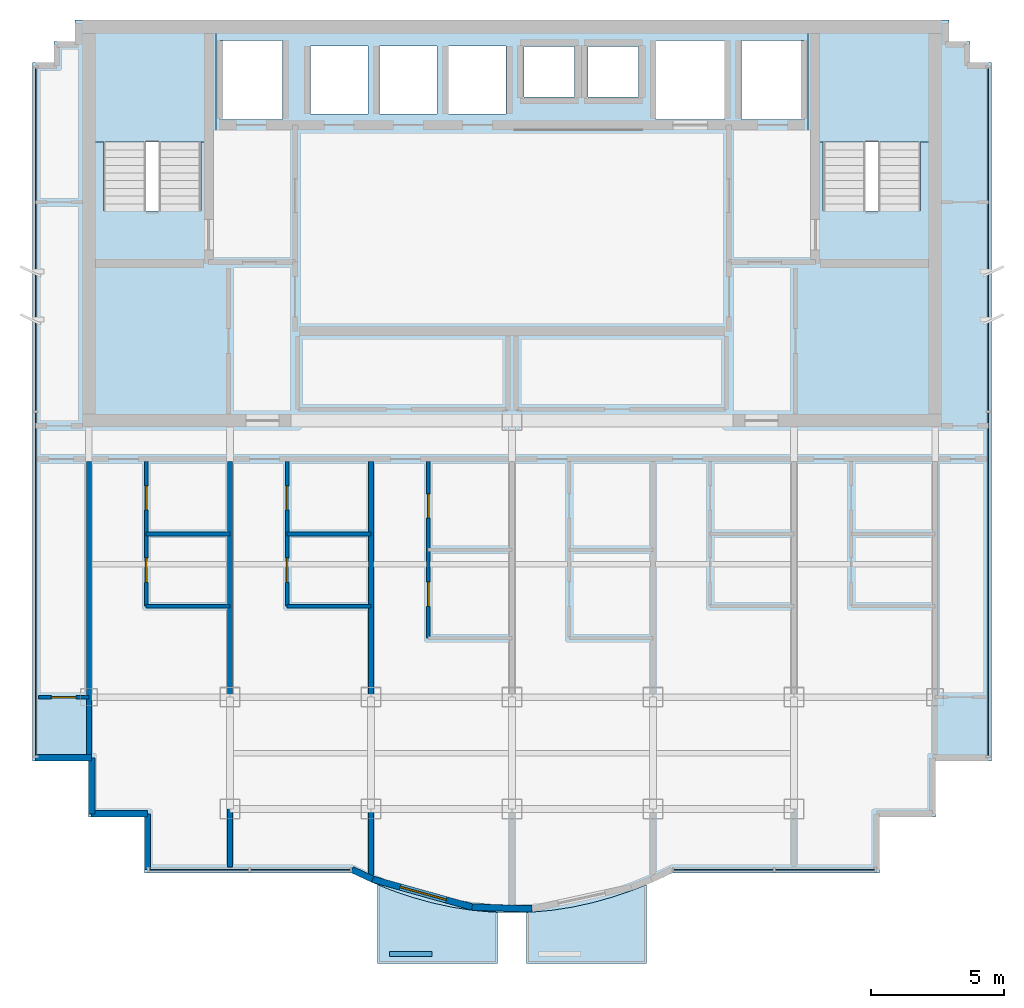
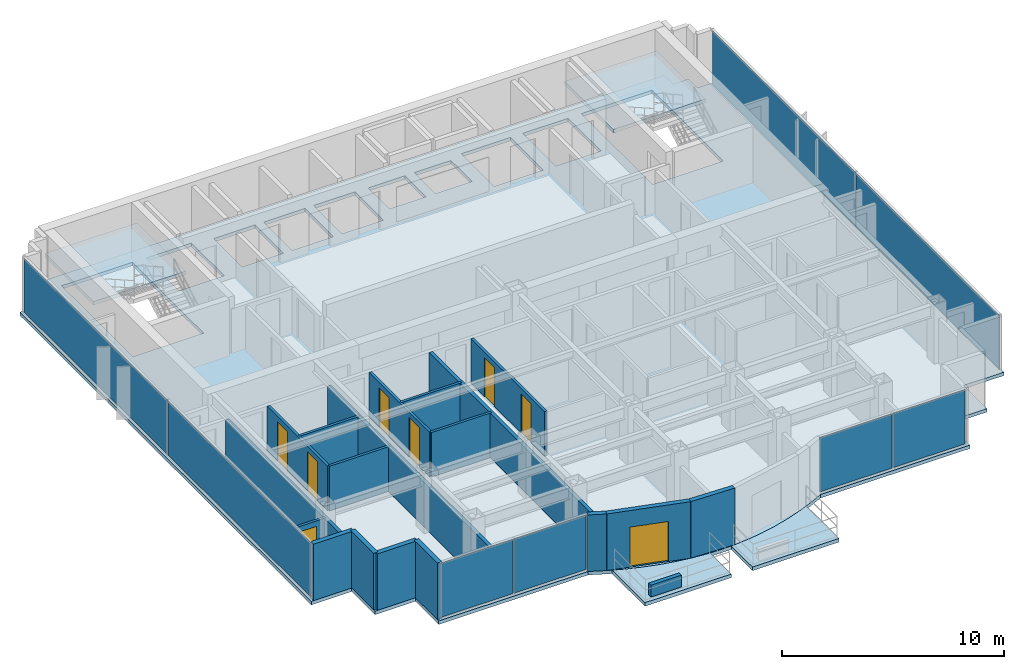
# One storey, part 5 of 10: 19 walls, 8 doors, 8 plates, 5 slabs, 8 openings, 6 elements without a shape of their own.
"""IFC4 building model written with IfcOpenShell, lengths in metres."""

import ifcopenshell
import ifcopenshell.guid

model = None  # the IFC model being written
_history = None  # IfcOwnerHistory: only IFC2X3 demands one
_inside = {}  # id of a spatial element -> (the spatial element, [elements in it])
_under = {}  # id of a project, library or spatial element -> (it, [spatial elements below it])
_declared = {}  # id of a project -> (the project, [libraries it declares])
_typed = {}  # id of a type object -> (the type object, [elements of that type])
_made_of = {}  # id of a material, layer set ... -> (it, [elements and type objects made of it])


def new_model(schema):
    """Start an empty IFC model of exactly this schema.

    Asked for "IFC4X3", IfcOpenShell would pick the latest addendum, in which some entities
    have other attributes; the version numbers below select the first issue.
    IFC2X3 requires an IfcOwnerHistory on every rooted entity: one is made here for all.
    """
    global model, _history
    if schema == "IFC4X3":
        model = ifcopenshell.file(schema_version=(4, 3, 0, 0))
    else:
        model = ifcopenshell.file(schema=schema)
    _inside.clear()
    _under.clear()
    _declared.clear()
    _typed.clear()
    _made_of.clear()
    _history = None
    if model.schema == "IFC2X3":
        org = make("IfcOrganization", Name="unknown")
        user = make(
            "IfcPersonAndOrganization",
            ThePerson=make("IfcPerson", FamilyName="unknown"),
            TheOrganization=org,
        )
        app = make(
            "IfcApplication",
            ApplicationDeveloper=org,
            Version="unknown",
            ApplicationFullName="unknown",
            ApplicationIdentifier="unknown",
        )
        _history = make(
            "IfcOwnerHistory",
            OwningUser=user,
            OwningApplication=app,
            ChangeAction="ADDED",
            CreationDate=0,
        )
    return model


def make(cls, **values):
    """One entity of the class cls with the attributes given. An attribute that is None is left unset."""
    return model.create_entity(
        cls, **{name: value for name, value in values.items() if value is not None}
    )


def rooted(cls, **values):
    """An entity with a GlobalId (a new one), such as an element, a storey or a relation."""
    return make(cls, GlobalId=ifcopenshell.guid.new(), OwnerHistory=_history, **values)


def si_unit(unit_type, name, prefix=None):
    """IfcSIUnit, for example si_unit("LENGTHUNIT", "METRE", prefix="MILLI")."""
    return make("IfcSIUnit", UnitType=unit_type, Prefix=prefix, Name=name)


def assignment(units):
    """IfcUnitAssignment: the units of a project."""
    return None if units is None else make("IfcUnitAssignment", Units=units)


def point(xyz):
    """IfcCartesianPoint."""
    return None if xyz is None else make("IfcCartesianPoint", Coordinates=xyz)


def direction(xyz):
    """IfcDirection."""
    return None if xyz is None else make("IfcDirection", DirectionRatios=xyz)


def frame(location, z_axis=None, x_axis=None):
    """IfcAxis2Placement3D, a coordinate frame: its origin and axes. An axis left out is left unset."""
    return make(
        "IfcAxis2Placement3D",
        Location=point(location),
        Axis=direction(z_axis),
        RefDirection=direction(x_axis),
    )


def frame_2d(location, x_axis=None):
    """IfcAxis2Placement2D, a coordinate frame in the plane: its origin and x axis."""
    return make(
        "IfcAxis2Placement2D", Location=point(location), RefDirection=direction(x_axis)
    )


def origin():
    """The frame at (0, 0, 0) with its axes left unset."""
    return frame((0.0, 0.0, 0.0))


def origin_2d():
    """The frame at (0, 0) in the plane with its x axis left unset."""
    return frame_2d((0.0, 0.0))


def place(relative_to, where):
    """IfcLocalPlacement: puts the frame where relative to a parent placement (None: the world)."""
    return make(
        "IfcLocalPlacement", PlacementRelTo=relative_to, RelativePlacement=where
    )


def context(
    kind, dimensions, precision=None, world=None, true_north=None, identifier=None
):
    """IfcGeometricRepresentationContext, for example the 3D "Model" context."""
    return make(
        "IfcGeometricRepresentationContext",
        ContextIdentifier=identifier,
        ContextType=kind,
        CoordinateSpaceDimension=dimensions,
        Precision=precision,
        WorldCoordinateSystem=world,
        TrueNorth=true_north,
    )


def subcontext(parent, identifier, kind, view, scale=None):
    """IfcGeometricRepresentationSubContext, for example "Body" below "Model"."""
    return make(
        "IfcGeometricRepresentationSubContext",
        ContextIdentifier=identifier,
        ContextType=kind,
        ParentContext=parent,
        TargetScale=scale,
        TargetView=view,
    )


def project(units=None, contexts=None):
    """IfcProject with its units and contexts."""
    return rooted(
        "IfcProject",
        Name="project",
        RepresentationContexts=contexts,
        UnitsInContext=assignment(units),
    )


def spatial(cls, under=None, at=None, **own):
    """A site, building, storey or space (cls), placed at a placement, below another one or the project."""
    s = rooted(cls, ObjectPlacement=at, **own)
    if under is not None:
        _under.setdefault(under.id(), (under, []))[1].append(s)
    return s


def polyline(points):
    """IfcPolyline through the points."""
    return make("IfcPolyline", Points=[point(p) for p in points])


def profile(cls, at=None, kind="AREA", **sizes):
    """A parametric profile (cls). Its sizes go by their IFC names, for example OverallWidth=200.0."""
    return make(cls, ProfileType=kind, Position=at, **sizes)


def rectangle(**sizes):
    """IfcRectangleProfileDef."""
    return profile("IfcRectangleProfileDef", **sizes)


def outline(outer, holes=None, kind="AREA"):
    """IfcArbitraryClosedProfileDef: a profile drawn as a closed curve; with holes, ...WithVoids."""
    if holes is None:
        return make("IfcArbitraryClosedProfileDef", ProfileType=kind, OuterCurve=outer)
    return make(
        "IfcArbitraryProfileDefWithVoids",
        ProfileType=kind,
        OuterCurve=outer,
        InnerCurves=holes,
    )


def extrude(swept, where, along, depth):
    """IfcExtrudedAreaSolid: the profile swept, set in the frame where, extruded along a direction by depth."""
    return make(
        "IfcExtrudedAreaSolid",
        SweptArea=swept,
        Position=where,
        ExtrudedDirection=direction(along),
        Depth=depth,
    )


def shape(context_of_items, identifier, shape_type, items):
    """IfcShapeRepresentation: the items that make up one representation, for example the "Body"."""
    return make(
        "IfcShapeRepresentation",
        ContextOfItems=context_of_items,
        RepresentationIdentifier=identifier,
        RepresentationType=shape_type,
        Items=items,
    )


def source(mapping_origin, context_of_items, identifier, shape_type, items):
    """IfcRepresentationMap: a shape defined once, which mapped items show again and again."""
    return make(
        "IfcRepresentationMap",
        MappingOrigin=mapping_origin,
        MappedRepresentation=shape(context_of_items, identifier, shape_type, items),
    )


def transform(
    local_origin,
    x_axis=None,
    y_axis=None,
    z_axis=None,
    scale=None,
    scale2=None,
    scale3=None,
    uniform=True,
):
    """IfcCartesianTransformationOperator3D, or its non-uniform kind. x_axis, y_axis, z_axis: its Axis1, 2, 3."""
    if uniform:
        return make(
            "IfcCartesianTransformationOperator3D",
            Axis1=direction(x_axis),
            Axis2=direction(y_axis),
            LocalOrigin=point(local_origin),
            Scale=scale,
            Axis3=direction(z_axis),
        )
    return make(
        "IfcCartesianTransformationOperator3DnonUniform",
        Axis1=direction(x_axis),
        Axis2=direction(y_axis),
        LocalOrigin=point(local_origin),
        Scale=scale,
        Axis3=direction(z_axis),
        Scale2=scale2,
        Scale3=scale3,
    )


def mapped(mapping_source, mapping_target):
    """IfcMappedItem: shows the shape of a source again, moved by a transform."""
    return make(
        "IfcMappedItem", MappingSource=mapping_source, MappingTarget=mapping_target
    )


def material(Name=None, Category=None):
    """IfcMaterial."""
    return make("IfcMaterial", Name=Name, Category=Category)


def layer(
    of_material, thickness, ventilated=None, Name=None, Category=None, Priority=None
):
    """IfcMaterialLayer: one layer of a wall or slab, of a material (None: an air gap)."""
    return make(
        "IfcMaterialLayer",
        Material=of_material,
        LayerThickness=thickness,
        IsVentilated=ventilated,
        Name=Name,
        Category=Category,
        Priority=Priority,
    )


def layer_set(layers, Name=None):
    """IfcMaterialLayerSet."""
    return make("IfcMaterialLayerSet", MaterialLayers=layers, LayerSetName=Name)


def made_of(thing, what):
    """Note that an element or type object is made of a material, layer set ...; save() writes the relation."""
    if what is not None:
        _made_of.setdefault(what.id(), (what, []))[1].append(thing)
    return thing


def type_object(cls, material=None, **own):
    """A type object (cls), such as IfcWallType, which elements share."""
    return made_of(rooted(cls, **own), material)


def element(
    cls,
    number,
    at=None,
    inside=None,
    cuts=None,
    type_object=None,
    material=None,
    context=None,
    identifier="Body",
    shape_type=None,
    held_by="IfcProductDefinitionShape",
    body=None,
    shapes=None,
    **own,
):
    """One element of the class cls, such as IfcWall. Its Tag is "e" and its number.

    at: its placement. inside: the storey or other place that contains it. cuts: it is an
    opening in that element (IfcRelVoidsElement). A single representation is given by context,
    identifier, shape_type and body (its items); several are given by shapes. held_by: the class
    of the entity that holds the representations. save() writes the other relations.
    """
    e = rooted(cls, Tag="e%d" % number, ObjectPlacement=at, **own)
    if body is not None:
        shapes = [shape(context, identifier, shape_type, body)]
    if shapes is not None:
        e.Representation = make(held_by, Representations=shapes)
    if inside is not None:
        _inside.setdefault(inside.id(), (inside, []))[1].append(e)
    if cuts is not None:
        rooted(
            "IfcRelVoidsElement", RelatingBuildingElement=cuts, RelatedOpeningElement=e
        )
    if type_object is not None:
        _typed.setdefault(type_object.id(), (type_object, []))[1].append(e)
    return made_of(e, material)


def fill(opening, filler):
    """IfcRelFillsElement: the door or window that sits in an opening."""
    return rooted(
        "IfcRelFillsElement",
        RelatingOpeningElement=opening,
        RelatedBuildingElement=filler,
    )


def aggregate(whole, parts):
    """IfcRelAggregates: a whole, such as a stair, and the parts it consists of."""
    return rooted("IfcRelAggregates", RelatingObject=whole, RelatedObjects=parts)


def save(model, path):
    """Write the relations noted so far, then the file.

    IfcRelAggregates (storeys below a building ...), IfcRelContainedInSpatialStructure (elements
    in a storey), IfcRelDefinesByType, IfcRelAssociatesMaterial and IfcRelDeclares: one each for
    every whole, place, type object, material and project.
    """
    for whole, parts in _under.values():
        aggregate(whole, parts)
    for where, things in _inside.values():
        rooted(
            "IfcRelContainedInSpatialStructure",
            RelatedElements=things,
            RelatingStructure=where,
        )
    for kind, things in _typed.values():
        rooted("IfcRelDefinesByType", RelatedObjects=things, RelatingType=kind)
    for what, things in _made_of.values():
        rooted("IfcRelAssociatesMaterial", RelatedObjects=things, RelatingMaterial=what)
    for by, libraries in _declared.values():
        rooted("IfcRelDeclares", RelatingContext=by, RelatedDefinitions=libraries)
    model.write(path)


model = new_model("IFC4")

# Units and contexts
model_context = context("Model", 3, precision=1e-05, world=origin(), true_north=direction((0.0, 1.0)))
body_context = subcontext(model_context, "Body", "Model", "MODEL_VIEW")
ifc_project = project(units=[si_unit("LENGTHUNIT", "METRE"), si_unit("AREAUNIT", "SQUARE_METRE"), si_unit("VOLUMEUNIT", "CUBIC_METRE"), si_unit("PLANEANGLEUNIT", "RADIAN"), si_unit("MASSUNIT", "GRAM", prefix="KILO")], contexts=[model_context])

# Site, building, storey
site_placement = place(None, origin())
site = spatial("IfcSite", under=ifc_project, at=site_placement, CompositionType="ELEMENT")
building_placement = place(site_placement, origin())
building = spatial("IfcBuilding", under=site, at=building_placement, Name="Qianlan Lanfeng Residences", CompositionType="ELEMENT")
storey_placement = place(building_placement, frame((0.0, 0.0, 236.300048828125)))
storey = spatial("IfcBuildingStorey", under=building, at=storey_placement, Name="L65", CompositionType="ELEMENT", Elevation=236.300048828125)

# Slabs
ifc_material_1 = material(Name="Concrete C42", Category="concrete")
ifc_layer_1 = layer(ifc_material_1, 0.199951171875)
ifc_layer_set_1 = layer_set([ifc_layer_1], Name="Concrete C42")
slab_type_1 = type_object("IfcSlabType", Name="S-BAL-200", PredefinedType="FLOOR", material=ifc_layer_set_1)
slab_1_placement = place(storey_placement, frame((0.0, 0.0, -0.199951171875)))
element("IfcSlab", 1, at=slab_1_placement, inside=storey, type_object=slab_type_1, Name="L65 Planted Tree Balcony Slab SB-W", PredefinedType="FLOOR", context=body_context, shape_type="SweptSolid", body=[
    extrude(outline(polyline([(25.949951171875, 6.717041015625), (25.7451171875, 6.722900390625), (24.989990234375, 6.7939453125), (24.235107421875, 6.910888671875), (23.47998046875, 7.074951171875), (22.72509765625, 7.285888671875), (21.969970703125, 7.5439453125), (21.449951171875, 7.7529296875), (21.449951171875, 4.800048828125), (25.949951171875, 4.800048828125), (25.949951171875, 6.717041015625)])), origin(), (0.0, 0.0, 1.0), 0.199951171875),
])
slab_2_placement = place(storey_placement, frame((0.0, 0.0, -0.199951171875)))
element("IfcSlab", 2, at=slab_2_placement, inside=storey, type_object=slab_type_1, Name="L65 Planted Tree Balcony Slab SB-E", PredefinedType="FLOOR", context=body_context, shape_type="SweptSolid", body=[
    extrude(outline(polyline([(31.550048828125, 7.7529296875), (31.030029296875, 7.5439453125), (30.27490234375, 7.285888671875), (29.52001953125, 7.074951171875), (28.764892578125, 6.910888671875), (28.010009765625, 6.7939453125), (27.2548828125, 6.722900390625), (27.050048828125, 6.717041015625), (27.050048828125, 4.800048828125), (31.550048828125, 4.800048828125), (31.550048828125, 7.7529296875)])), origin(), (0.0, 0.0, 1.0), 0.199951171875),
])
ifc_layer_2 = layer(ifc_material_1, 0.18994140625)
ifc_layer_set_2 = layer_set([ifc_layer_2], Name="Concrete C42")
slab_type_2 = type_object("IfcSlabType", Name="S-FL-190", PredefinedType="FLOOR", material=ifc_layer_set_2)
slab_3_placement = place(storey_placement, frame((0.0, 0.0, -0.18994140625)))
element("IfcSlab", 3, at=slab_3_placement, inside=storey, type_object=slab_type_2, Name="L65 Structural Floor Slab", PredefinedType="FLOOR", context=body_context, shape_type="SweptSolid", body=[
    extrude(outline(polyline([(8.47998046875, 12.39990234375), (10.580078125, 12.39990234375), (10.580078125, 10.300048828125), (12.679931640625, 10.300048828125), (12.679931640625, 8.199951171875), (20.4599609375, 8.199951171875), (21.215087890625, 7.847900390625), (21.969970703125, 7.5439453125), (22.72509765625, 7.285888671875), (23.47998046875, 7.074951171875), (24.235107421875, 6.910888671875), (24.989990234375, 6.7939453125), (25.7451171875, 6.722900390625), (26.5, 6.699951171875), (27.2548828125, 6.722900390625), (28.010009765625, 6.7939453125), (28.764892578125, 6.910888671875), (29.52001953125, 7.074951171875), (30.27490234375, 7.285888671875), (31.030029296875, 7.5439453125), (31.784912109375, 7.847900390625), (32.5400390625, 8.199951171875), (40.320068359375, 8.199951171875), (40.320068359375, 10.300048828125), (42.419921875, 10.300048828125), (42.419921875, 12.39990234375), (44.52001953125, 12.39990234375), (44.52001953125, 38.64990234375), (43.719970703125, 38.64990234375), (43.719970703125, 39.449951171875), (42.919921875, 39.449951171875), (42.919921875, 40.25), (10.080078125, 40.25), (10.080078125, 39.449951171875), (9.280029296875, 39.449951171875), (9.280029296875, 38.64990234375), (8.47998046875, 38.64990234375), (8.47998046875, 12.39990234375)]), holes=[polyline([(11.139892578125, 33.080078125), (11.139892578125, 39.5), (14.820068359375, 39.5), (14.820068359375, 33.080078125), (11.139892578125, 33.080078125)]), polyline([(38.179931640625, 33.080078125), (38.179931640625, 39.5), (41.860107421875, 39.5), (41.860107421875, 33.080078125), (38.179931640625, 33.080078125)]), polyline([(15.52001953125, 36.52001953125), (15.52001953125, 39.47998046875), (17.8798828125, 39.47998046875), (17.8798828125, 36.52001953125), (15.52001953125, 36.52001953125)]), polyline([(35.1201171875, 36.52001953125), (35.1201171875, 39.47998046875), (37.47998046875, 39.47998046875), (37.47998046875, 36.52001953125), (35.1201171875, 36.52001953125)]), polyline([(31.919921875, 36.52001953125), (31.919921875, 39.47998046875), (34.47998046875, 39.47998046875), (34.47998046875, 36.52001953125), (31.919921875, 36.52001953125)]), polyline([(18.919921875, 36.719970703125), (18.919921875, 39.280029296875), (21.080078125, 39.280029296875), (21.080078125, 36.719970703125), (18.919921875, 36.719970703125)]), polyline([(21.52001953125, 36.719970703125), (21.52001953125, 39.280029296875), (23.679931640625, 39.280029296875), (23.679931640625, 36.719970703125), (21.52001953125, 36.719970703125)]), polyline([(24.1201171875, 36.719970703125), (24.1201171875, 39.280029296875), (26.280029296875, 39.280029296875), (26.280029296875, 36.719970703125), (24.1201171875, 36.719970703125)]), polyline([(26.949951171875, 37.35009765625), (26.949951171875, 39.25), (28.85009765625, 39.25), (28.85009765625, 37.35009765625), (26.949951171875, 37.35009765625)]), polyline([(29.35009765625, 37.35009765625), (29.35009765625, 39.25), (31.25, 39.25), (31.25, 37.35009765625), (29.35009765625, 37.35009765625)])]), origin(), (0.0, 0.0, 1.0), 0.18994140625),
])

# Stair, slab
stair_type = type_object("IfcStairType", Name="STR-MAIN", PredefinedType="HALF_TURN_STAIR", material=ifc_material_1)
stair_1_placement = place(storey_placement, origin())
stair_1 = element("IfcStair", 4, at=stair_1_placement, inside=storey, type_object=stair_type, Name="L65 Exit Stair ST-1", PredefinedType="HALF_TURN_STAIR")
ifc_layer_3 = layer(ifc_material_1, 0.179931640625)
ifc_layer_set_3 = layer_set([ifc_layer_3], Name="Concrete C42")
slab_type_3 = type_object("IfcSlabType", Name="S-LND-180", PredefinedType="LANDING", material=ifc_layer_set_3)
slab_4_placement = place(storey_placement, frame((0.0, 0.0, 1.449951171875)))
slab_4 = element("IfcSlab", 5, at=slab_4_placement, type_object=slab_type_3, Name="ST-1 landing 1", PredefinedType="LANDING", context=body_context, shape_type="SweptSolid", body=[
    extrude(outline(polyline([(10.580078125, 35.659912109375), (15.3798828125, 35.659912109375), (15.3798828125, 40.050048828125), (10.580078125, 40.050048828125), (10.580078125, 35.659912109375)])), origin(), (0.0, 0.0, 1.0), 0.199951171875),
])
aggregate(stair_1, [slab_4])

stair_2_placement = place(storey_placement, origin())
stair_2 = element("IfcStair", 6, at=stair_2_placement, inside=storey, type_object=stair_type, Name="L65 Exit Stair ST-2", PredefinedType="HALF_TURN_STAIR")
slab_5_placement = place(storey_placement, frame((0.0, 0.0, 1.449951171875)))
slab_5 = element("IfcSlab", 7, at=slab_5_placement, type_object=slab_type_3, Name="ST-2 landing 1", PredefinedType="LANDING", context=body_context, shape_type="SweptSolid", body=[
    extrude(outline(polyline([(37.6201171875, 35.659912109375), (42.419921875, 35.659912109375), (42.419921875, 40.050048828125), (37.6201171875, 40.050048828125), (37.6201171875, 35.659912109375)])), origin(), (0.0, 0.0, 1.0), 0.199951171875),
])
aggregate(stair_2, [slab_5])

# Curtain wall, plates
ifc_material_2 = material(Name="Anodised Bronze Aluminium 6063-T6", Category="aluminium")
ifc_layer_4 = layer(ifc_material_2, 0.219970703125)
ifc_layer_set_4 = layer_set([ifc_layer_4], Name="Anodised Bronze Aluminium 6063-T6")
curtain_wall_type = type_object("IfcCurtainWallType", Name="CW-06", PredefinedType="NOTDEFINED", material=ifc_layer_set_4)
curtain_wall_1_placement = place(storey_placement, origin())
curtain_wall_1 = element("IfcCurtainWall", 8, at=curtain_wall_1_placement, inside=storey, type_object=curtain_wall_type, Name="L65 Unitised Curtain Wall CWR-L65-01 (CW-06)", PredefinedType="NOTDEFINED")
ifc_material_3 = material(Name="Dark Bronze Tinted Insulated Glass", Category="glass")
ifc_layer_5 = layer(ifc_material_3, 0.0380859375)
ifc_layer_set_5 = layer_set([ifc_layer_5], Name="Dark Bronze Tinted Insulated Glass")
plate_type_1 = type_object("IfcPlateType", Name="PNL-GLZ-BRZ", PredefinedType="CURTAIN_PANEL", material=ifc_layer_set_5)
shared_shape_1 = source(origin(), body_context, "Body", "SweptSolid", [
    extrude(rectangle(XDim=3.73291015625, YDim=0.0380859375, at=origin_2d()), origin(), (0.0, 0.0, 1.0), 2.9619140625),
])
plate_1_placement = place(storey_placement, frame((14.740478515625, 8.320068359375, 0.073974609375), z_axis=(0.0, 0.0, 1.0), x_axis=(1.0, 0.0, 0.0)))
plate_1 = element("IfcPlate", 9, at=plate_1_placement, type_object=plate_type_1, Name="CWR-L65-01 Curtain Panel 1", PredefinedType="CURTAIN_PANEL", context=body_context, shape_type="MappedRepresentation", body=[
    mapped(shared_shape_1, transform((0.0, 0.0, 0.0), scale=1.0)),
])
plate_2_placement = place(storey_placement, frame((18.54638671875, 8.320068359375, 0.073974609375), z_axis=(0.0, 0.0, 1.0), x_axis=(1.0, 0.0, 0.0)))
plate_2 = element("IfcPlate", 10, at=plate_2_placement, type_object=plate_type_1, Name="CWR-L65-01 Curtain Panel 2", PredefinedType="CURTAIN_PANEL", context=body_context, shape_type="MappedRepresentation", body=[
    mapped(shared_shape_1, transform((0.0, 0.0, 0.0), scale=1.0)),
])
aggregate(curtain_wall_1, [plate_1, plate_2])

curtain_wall_2_placement = place(storey_placement, origin())
curtain_wall_2 = element("IfcCurtainWall", 11, at=curtain_wall_2_placement, inside=storey, type_object=curtain_wall_type, Name="L65 Unitised Curtain Wall CWR-L65-02 (CW-06)", PredefinedType="NOTDEFINED")
plate_3_placement = place(storey_placement, frame((34.45361328125, 8.320068359375, 0.073974609375), z_axis=(0.0, 0.0, 1.0), x_axis=(1.0, 0.0, 0.0)))
plate_3 = element("IfcPlate", 12, at=plate_3_placement, type_object=plate_type_1, Name="CWR-L65-02 Curtain Panel 1", PredefinedType="CURTAIN_PANEL", context=body_context, shape_type="MappedRepresentation", body=[
    mapped(shared_shape_1, transform((0.0, 0.0, 0.0), scale=1.0)),
])
ifc_material_4 = material(Name="Perforated Anodised Bronze Aluminium Panel", Category="aluminium")
ifc_layer_6 = layer(ifc_material_4, 0.0419921875)
ifc_layer_set_6 = layer_set([ifc_layer_6], Name="Perforated Anodised Bronze Aluminium Panel")
plate_type_2 = type_object("IfcPlateType", Name="PNL-PRF-BRZ", PredefinedType="CURTAIN_PANEL", material=ifc_layer_set_6)
shared_shape_2 = source(origin(), body_context, "Body", "SweptSolid", [
    extrude(rectangle(XDim=3.73291015625, YDim=0.0419921875, at=origin_2d()), origin(), (0.0, 0.0, 1.0), 2.9619140625),
])
plate_4_placement = place(storey_placement, frame((38.259521484375, 8.320068359375, 0.073974609375), z_axis=(0.0, 0.0, 1.0), x_axis=(1.0, 0.0, 0.0)))
plate_4 = element("IfcPlate", 13, at=plate_4_placement, type_object=plate_type_2, Name="CWR-L65-02 Curtain Panel 2", PredefinedType="CURTAIN_PANEL", context=body_context, shape_type="MappedRepresentation", body=[
    mapped(shared_shape_2, transform((0.0, 0.0, 0.0), scale=1.0)),
])
aggregate(curtain_wall_2, [plate_3, plate_4])

curtain_wall_3_placement = place(storey_placement, origin())
curtain_wall_3 = element("IfcCurtainWall", 14, at=curtain_wall_3_placement, inside=storey, type_object=curtain_wall_type, Name="L65 Unitised Curtain Wall CWR-L65-03 (CW-06)", PredefinedType="NOTDEFINED")
shared_shape_3 = source(origin(), body_context, "Body", "SweptSolid", [
    extrude(rectangle(XDim=12.89453125, YDim=0.0380859375, at=origin_2d()), origin(), (0.0, 0.0, 1.0), 2.9619140625),
])
plate_5_placement = place(storey_placement, frame((44.39990234375, 19.041259765625, 0.073974609375), z_axis=(0.0, 0.0, 1.0), x_axis=(0.0, 1.0, 0.0)))
plate_5 = element("IfcPlate", 15, at=plate_5_placement, type_object=plate_type_1, Name="CWR-L65-03 Curtain Panel 1", PredefinedType="CURTAIN_PANEL", context=body_context, shape_type="MappedRepresentation", body=[
    mapped(shared_shape_3, transform((0.0, 0.0, 0.0), scale=1.0)),
])
plate_6_placement = place(storey_placement, frame((44.39990234375, 32.0087890625, 0.073974609375), z_axis=(0.0, 0.0, 1.0), x_axis=(0.0, 1.0, 0.0)))
plate_6 = element("IfcPlate", 16, at=plate_6_placement, type_object=plate_type_1, Name="CWR-L65-03 Curtain Panel 2", PredefinedType="CURTAIN_PANEL", context=body_context, shape_type="MappedRepresentation", body=[
    mapped(shared_shape_3, transform((0.0, 0.0, 0.0), scale=1.0)),
])
aggregate(curtain_wall_3, [plate_5, plate_6])

curtain_wall_4_placement = place(storey_placement, origin())
curtain_wall_4 = element("IfcCurtainWall", 17, at=curtain_wall_4_placement, inside=storey, type_object=curtain_wall_type, Name="L65 Unitised Curtain Wall CWR-L65-04 (CW-06)", PredefinedType="NOTDEFINED")
plate_7_placement = place(storey_placement, frame((8.60009765625, 32.0087890625, 0.073974609375), z_axis=(0.0, 0.0, 1.0), x_axis=(0.0, -1.0, 0.0)))
plate_7 = element("IfcPlate", 18, at=plate_7_placement, type_object=plate_type_1, Name="CWR-L65-04 Curtain Panel 1", PredefinedType="CURTAIN_PANEL", context=body_context, shape_type="MappedRepresentation", body=[
    mapped(shared_shape_3, transform((0.0, 0.0, 0.0), scale=1.0)),
])
shared_shape_4 = source(origin(), body_context, "Body", "SweptSolid", [
    extrude(rectangle(XDim=12.89453125, YDim=0.0419921875, at=origin_2d()), origin(), (0.0, 0.0, 1.0), 2.9619140625),
])
plate_8_placement = place(storey_placement, frame((8.60009765625, 19.041259765625, 0.073974609375), z_axis=(0.0, 0.0, 1.0), x_axis=(0.0, -1.0, 0.0)))
plate_8 = element("IfcPlate", 19, at=plate_8_placement, type_object=plate_type_2, Name="CWR-L65-04 Curtain Panel 2", PredefinedType="CURTAIN_PANEL", context=body_context, shape_type="MappedRepresentation", body=[
    mapped(shared_shape_4, transform((0.0, 0.0, 0.0), scale=1.0)),
])
aggregate(curtain_wall_4, [plate_7, plate_8])

# Walls
ifc_layer_7 = layer(ifc_material_1, 0.239990234375)
ifc_layer_set_7 = layer_set([ifc_layer_7], Name="Concrete C42")
wall_type_1 = type_object("IfcWallType", Name="EW-240", PredefinedType="SOLIDWALL", material=ifc_layer_set_7)
wall_1_placement = place(storey_placement, frame((8.60009765625, 12.52001953125, 0.0), z_axis=(0.0, 0.0, 1.0), x_axis=(1.0, 0.0, 0.0)))
element("IfcWall", 20, at=wall_1_placement, inside=storey, type_object=wall_type_1, Name="L65 Exterior Facade Spandrel Wall 1", PredefinedType="SOLIDWALL", context=body_context, shape_type="SweptSolid", body=[
    extrude(rectangle(XDim=2.099853515625, YDim=0.239990234375, at=frame_2d((1.0498046875, 0.0))), origin(), (0.0, 0.0, 1.0), 3.10986328125),
])
for number, where, z_axis, x_axis, name in (
    (21, (10.699951171875, 12.52001953125, 0.0), (0.0, 0.0, 1.0), (0.0, -1.0, 0.0), "L65 Exterior Facade Spandrel Wall 2"),
    (22, (10.699951171875, 10.419921875, 0.0), (0.0, 0.0, 1.0), (1.0, 0.0, 0.0), "L65 Exterior Facade Spandrel Wall 3"),
):
    element("IfcWall", number, at=place(storey_placement, frame(where, z_axis=z_axis, x_axis=x_axis)), inside=storey, type_object=wall_type_1, Name=name, PredefinedType="SOLIDWALL", context=body_context, shape_type="SweptSolid", body=[
        extrude(rectangle(XDim=2.10009765625, YDim=0.239990234375, at=frame_2d((1.050048828125, 0.0))), origin(), (0.0, 0.0, 1.0), 3.10986328125),
    ])
wall_2_placement = place(storey_placement, frame((12.800048828125, 10.419921875, 0.0), z_axis=(0.0, 0.0, 1.0), x_axis=(0.0, -1.0, 0.0)))
element("IfcWall", 23, at=wall_2_placement, inside=storey, type_object=wall_type_1, Name="L65 Exterior Facade Spandrel Wall 4", PredefinedType="SOLIDWALL", context=body_context, shape_type="SweptSolid", body=[
    extrude(rectangle(XDim=2.099853515625, YDim=0.239990234375, at=frame_2d((1.0498046875, 0.0))), origin(), (0.0, 0.0, 1.0), 3.10986328125),
])
wall_3_placement = place(storey_placement, frame((20.487060546875, 8.320068359375, 0.0), z_axis=(0.0, 0.0, 1.0), x_axis=(0.906190424584, -0.422869855147, 0.0)))
element("IfcWall", 24, at=wall_3_placement, inside=storey, type_object=wall_type_1, Name="L65 Exterior Facade Spandrel Wall 5", PredefinedType="SOLIDWALL", context=body_context, shape_type="SweptSolid", body=[
    extrude(rectangle(XDim=0.856201171875, YDim=0.239990234375, at=frame_2d((0.42822265625, 0.0))), origin(), (0.0, 0.0, 1.0), 3.10986328125),
])

# Wall, opening, door
wall_4_placement = place(storey_placement, frame((21.262939453125, 7.9580078125, 0.0), z_axis=(0.0, 0.0, 1.0), x_axis=(0.963152398068, -0.268956238255, 0.0)))
wall_4 = element("IfcWall", 25, at=wall_4_placement, inside=storey, type_object=wall_type_1, Name="L65 Terrace/Balcony Access Exterior Wall 6", PredefinedType="SOLIDWALL", context=body_context, shape_type="SweptSolid", body=[
    extrude(rectangle(XDim=3.885009765625, YDim=0.239990234375, at=frame_2d((1.9423828125, 0.0))), origin(), (0.0, 0.0, 1.0), 3.10986328125),
])
opening_1_placement = place(wall_4_placement, frame((1.073974609375, 0.0, 0.0)))
opening_1 = element("IfcOpeningElement", 26, at=opening_1_placement, cuts=wall_4, Name="Opening L65-D-SB-W", PredefinedType="OPENING", context=body_context, shape_type="SweptSolid", body=[
    extrude(rectangle(XDim=1.800048828125, YDim=2.199951171875, at=frame_2d((0.89990234375, 1.10009765625))), frame((0.0, 0.1298828125, 0.0), z_axis=(0.0, -1.0, 0.0), x_axis=(1.0, 0.0, 0.0)), (0.0, 0.0, 1.0), 0.260009765625),
])
ifc_material_5 = material(Name="Anodised Bronze Aluminium Framed Glass", Category="aluminium")
door_type_1 = type_object("IfcDoorType", Name="DT-BAL1", OperationType="NOTDEFINED", PredefinedType="DOOR", material=ifc_material_5)
door_1_placement = place(opening_1_placement, frame((1.800048828125, 0.0, 0.0), z_axis=(0.0, 0.0, 1.0), x_axis=(-1.0, 0.0, 0.0)))
door_1 = element("IfcDoor", 27, at=door_1_placement, inside=storey, type_object=door_type_1, Name="L65 Exterior Access Door SB-W", OperationType="DOUBLE_DOOR_SLIDING", OverallHeight=2.199951171875, OverallWidth=1.800048828125, PredefinedType="DOOR", context=body_context, shape_type="SweptSolid", body=[
    extrude(rectangle(XDim=1.800048828125, YDim=2.199951171875, at=frame_2d((0.89990234375, 1.10009765625))), frame((0.0, 0.02490234375, 0.0), z_axis=(0.0, -1.0, 0.0), x_axis=(1.0, 0.0, 0.0)), (0.0, 0.0, 1.0), 0.050048828125),
])
fill(opening_1, door_1)

# Walls
wall_5_placement = place(storey_placement, frame((25.0048828125, 6.9130859375, 0.0), z_axis=(0.0, 0.0, 1.0), x_axis=(0.99951250052, -0.031221167572, 0.0)))
element("IfcWall", 28, at=wall_5_placement, inside=storey, type_object=wall_type_1, Name="L65 Exterior Facade Spandrel Wall 7", PredefinedType="SOLIDWALL", context=body_context, shape_type="SweptSolid", body=[
    extrude(rectangle(XDim=2.244140625, YDim=0.239990234375, at=frame_2d((1.1220703125, 0.0))), origin(), (0.0, 0.0, 1.0), 3.10986328125),
])
ifc_layer_8 = layer(ifc_material_1, 0.199951171875)
ifc_layer_set_8 = layer_set([ifc_layer_8], Name="Concrete C42")
wall_type_2 = type_object("IfcWallType", Name="PL-TREE-200", PredefinedType="PARAPET", material=ifc_layer_set_8)
wall_6_placement = place(storey_placement, frame((21.89990234375, 5.14990234375, 0.0), z_axis=(0.0, 0.0, 1.0), x_axis=(1.0, 0.0, 0.0)))
element("IfcWall", 29, at=wall_6_placement, inside=storey, type_object=wall_type_2, Name="L65 Balcony Tree Planter Curb SB-W", PredefinedType="PARAPET", context=body_context, shape_type="SweptSolid", body=[
    extrude(rectangle(XDim=1.60009765625, YDim=0.199951171875, at=frame_2d((0.800048828125, 0.0))), origin(), (0.0, 0.0, 1.0), 0.64990234375),
])

# Wall, openings, doors
ifc_material_6 = material(Name="Moisture-Resistant Gypsum Partition 135 mm")
ifc_layer_9 = layer(ifc_material_6, 0.135009765625)
ifc_layer_set_9 = layer_set([ifc_layer_9], Name="Moisture-Resistant Gypsum Partition 135 mm")
wall_type_3 = type_object("IfcWallType", Name="PW-135", PredefinedType="PARTITIONING", material=ifc_layer_set_9)
wall_7_placement = place(storey_placement, frame((12.75, 18.219970703125, 0.0), z_axis=(0.0, 0.0, 1.0), x_axis=(0.0, 1.0, 0.0)))
wall_7 = element("IfcWall", 30, at=wall_7_placement, inside=storey, type_object=wall_type_3, Name="L65 U01 Wet Stack Spine", PredefinedType="PARTITIONING", context=body_context, shape_type="SweptSolid", body=[
    extrude(rectangle(XDim=5.429931640625, YDim=0.135009765625, at=frame_2d((2.71484375, 0.0))), origin(), (0.0, 0.0, 1.0), 2.449951171875),
])
opening_2_placement = place(wall_7_placement, frame((0.89794921875, 0.0, 0.0)))
opening_2 = element("IfcOpeningElement", 31, at=opening_2_placement, cuts=wall_7, Name="Opening L65-D16", PredefinedType="OPENING", context=body_context, shape_type="SweptSolid", body=[
    extrude(rectangle(XDim=0.919921875, YDim=2.14990234375, at=frame_2d((0.4599609375, 1.074951171875))), frame((0.0, 0.07763671875, 0.0), z_axis=(0.0, -1.0, 0.0), x_axis=(1.0, 0.0, 0.0)), (0.0, 0.0, 1.0), 0.155029296875),
])
opening_3_placement = place(wall_7_placement, frame((3.6220703125, 0.0, 0.0)))
opening_3 = element("IfcOpeningElement", 32, at=opening_3_placement, cuts=wall_7, Name="Opening L65-D17", PredefinedType="OPENING", context=body_context, shape_type="SweptSolid", body=[
    extrude(rectangle(XDim=0.89990234375, YDim=2.14990234375, at=frame_2d((0.449951171875, 1.074951171875))), frame((0.0, 0.07763671875, 0.0), z_axis=(0.0, -1.0, 0.0), x_axis=(1.0, 0.0, 0.0)), (0.0, 0.0, 1.0), 0.155029296875),
])
ifc_material_7 = material(Name="Glazed Timber Kitchen/Study Door", Category="wood")
door_type_2 = type_object("IfcDoorType", Name="DT-INT", OperationType="NOTDEFINED", PredefinedType="DOOR", material=ifc_material_7)
door_2_placement = place(opening_2_placement, origin())
door_2 = element("IfcDoor", 33, at=door_2_placement, inside=storey, type_object=door_type_2, Name="L65 U01 Kitchen Door L65-D16 (DT-INT)", OperationType="SINGLE_SWING_LEFT", OverallHeight=2.14990234375, OverallWidth=0.919921875, PredefinedType="DOOR", context=body_context, shape_type="SweptSolid", body=[
    extrude(rectangle(XDim=0.919921875, YDim=2.14990234375, at=frame_2d((0.4599609375, 1.074951171875))), frame((0.0, 0.02490234375, 0.0), z_axis=(0.0, -1.0, 0.0), x_axis=(1.0, 0.0, 0.0)), (0.0, 0.0, 1.0), 0.050048828125),
])
fill(opening_2, door_2)
ifc_material_8 = material(Name="Moisture-Resistant Timber Leaf", Category="wood")
door_type_3 = type_object("IfcDoorType", Name="DT-WC", OperationType="NOTDEFINED", PredefinedType="DOOR", material=ifc_material_8)
door_3_placement = place(opening_3_placement, origin())
door_3 = element("IfcDoor", 34, at=door_3_placement, inside=storey, type_object=door_type_3, Name="L65 U01 Bathroom Door L65-D17 (DT-WC)", OperationType="SINGLE_SWING_RIGHT", OverallHeight=2.14990234375, OverallWidth=0.89990234375, PredefinedType="DOOR", context=body_context, shape_type="SweptSolid", body=[
    extrude(rectangle(XDim=0.89990234375, YDim=2.14990234375, at=frame_2d((0.449951171875, 1.074951171875))), frame((0.0, 0.02490234375, 0.0), z_axis=(0.0, -1.0, 0.0), x_axis=(1.0, 0.0, 0.0)), (0.0, 0.0, 1.0), 0.050048828125),
])
fill(opening_3, door_3)

# Walls
for number, where, z_axis, x_axis, name in (
    (35, (12.75, 18.219970703125, 0.0), (0.0, 0.0, 1.0), (1.0, 0.0, 0.0), "L65 U01 Kitchen South Wall"),
    (36, (12.75, 20.93505859375, 0.0), (0.0, 0.0, 1.0), (1.0, 0.0, 0.0), "L65 U01 Bathroom South Wall"),
):
    element("IfcWall", number, at=place(storey_placement, frame(where, z_axis=z_axis, x_axis=x_axis)), inside=storey, type_object=wall_type_3, Name=name, PredefinedType="PARTITIONING", context=body_context, shape_type="SweptSolid", body=[
        extrude(rectangle(XDim=3.14990234375, YDim=0.135009765625, at=frame_2d((1.574951171875, 0.0))), origin(), (0.0, 0.0, 1.0), 2.449951171875),
    ])

# Wall, openings, doors
wall_8_placement = place(storey_placement, frame((18.050048828125, 18.219970703125, 0.0), z_axis=(0.0, 0.0, 1.0), x_axis=(0.0, 1.0, 0.0)))
wall_8 = element("IfcWall", 37, at=wall_8_placement, inside=storey, type_object=wall_type_3, Name="L65 U02 Wet Stack Spine", PredefinedType="PARTITIONING", context=body_context, shape_type="SweptSolid", body=[
    extrude(rectangle(XDim=5.429931640625, YDim=0.135009765625, at=frame_2d((2.71484375, 0.0))), origin(), (0.0, 0.0, 1.0), 2.449951171875),
])
opening_4_placement = place(wall_8_placement, frame((0.89794921875, 0.0, 0.0)))
opening_4 = element("IfcOpeningElement", 38, at=opening_4_placement, cuts=wall_8, Name="Opening L65-D19", PredefinedType="OPENING", context=body_context, shape_type="SweptSolid", body=[
    extrude(rectangle(XDim=0.919921875, YDim=2.14990234375, at=frame_2d((0.4599609375, 1.074951171875))), frame((0.0, 0.07763671875, 0.0), z_axis=(0.0, -1.0, 0.0), x_axis=(1.0, 0.0, 0.0)), (0.0, 0.0, 1.0), 0.155029296875),
])
opening_5_placement = place(wall_8_placement, frame((3.6220703125, 0.0, 0.0)))
opening_5 = element("IfcOpeningElement", 39, at=opening_5_placement, cuts=wall_8, Name="Opening L65-D20", PredefinedType="OPENING", context=body_context, shape_type="SweptSolid", body=[
    extrude(rectangle(XDim=0.89990234375, YDim=2.14990234375, at=frame_2d((0.449951171875, 1.074951171875))), frame((0.0, 0.07763671875, 0.0), z_axis=(0.0, -1.0, 0.0), x_axis=(1.0, 0.0, 0.0)), (0.0, 0.0, 1.0), 0.155029296875),
])
door_4_placement = place(opening_4_placement, origin())
door_4 = element("IfcDoor", 40, at=door_4_placement, inside=storey, type_object=door_type_2, Name="L65 U02 Kitchen Door L65-D19 (DT-INT)", OperationType="SINGLE_SWING_RIGHT", OverallHeight=2.14990234375, OverallWidth=0.919921875, PredefinedType="DOOR", context=body_context, shape_type="SweptSolid", body=[
    extrude(rectangle(XDim=0.919921875, YDim=2.14990234375, at=frame_2d((0.4599609375, 1.074951171875))), frame((0.0, 0.02490234375, 0.0), z_axis=(0.0, -1.0, 0.0), x_axis=(1.0, 0.0, 0.0)), (0.0, 0.0, 1.0), 0.050048828125),
])
fill(opening_4, door_4)
door_5_placement = place(opening_5_placement, origin())
door_5 = element("IfcDoor", 41, at=door_5_placement, inside=storey, type_object=door_type_3, Name="L65 U02 Bathroom Door L65-D20 (DT-WC)", OperationType="SINGLE_SWING_LEFT", OverallHeight=2.14990234375, OverallWidth=0.89990234375, PredefinedType="DOOR", context=body_context, shape_type="SweptSolid", body=[
    extrude(rectangle(XDim=0.89990234375, YDim=2.14990234375, at=frame_2d((0.449951171875, 1.074951171875))), frame((0.0, 0.02490234375, 0.0), z_axis=(0.0, -1.0, 0.0), x_axis=(1.0, 0.0, 0.0)), (0.0, 0.0, 1.0), 0.050048828125),
])
fill(opening_5, door_5)

# Walls
for number, where, z_axis, x_axis, name in (
    (42, (18.050048828125, 18.219970703125, 0.0), (0.0, 0.0, 1.0), (1.0, 0.0, 0.0), "L65 U02 Kitchen South Wall"),
    (43, (18.050048828125, 20.93505859375, 0.0), (0.0, 0.0, 1.0), (1.0, 0.0, 0.0), "L65 U02 Bathroom South Wall"),
):
    element("IfcWall", number, at=place(storey_placement, frame(where, z_axis=z_axis, x_axis=x_axis)), inside=storey, type_object=wall_type_3, Name=name, PredefinedType="PARTITIONING", context=body_context, shape_type="SweptSolid", body=[
        extrude(rectangle(XDim=3.14990234375, YDim=0.135009765625, at=frame_2d((1.574951171875, 0.0))), origin(), (0.0, 0.0, 1.0), 2.449951171875),
    ])

# Wall, openings, doors
wall_9_placement = place(storey_placement, frame((23.35009765625, 17.02001953125, 0.0), z_axis=(0.0, 0.0, 1.0), x_axis=(0.0, 1.0, 0.0)))
wall_9 = element("IfcWall", 44, at=wall_9_placement, inside=storey, type_object=wall_type_3, Name="L65 U03 Wet Stack Spine", PredefinedType="PARTITIONING", context=body_context, shape_type="SweptSolid", body=[
    extrude(rectangle(XDim=6.6298828125, YDim=0.135009765625, at=frame_2d((3.31494140625, 0.0))), origin(), (0.0, 0.0, 1.0), 2.449951171875),
])
opening_6_placement = place(wall_9_placement, frame((1.197998046875, 0.0, 0.0)))
opening_6 = element("IfcOpeningElement", 45, at=opening_6_placement, cuts=wall_9, Name="Opening L65-D22", PredefinedType="OPENING", context=body_context, shape_type="SweptSolid", body=[
    extrude(rectangle(XDim=0.919921875, YDim=2.14990234375, at=frame_2d((0.4599609375, 1.074951171875))), frame((0.0, 0.07763671875, 0.0), z_axis=(0.0, -1.0, 0.0), x_axis=(1.0, 0.0, 0.0)), (0.0, 0.0, 1.0), 0.155029296875),
])
opening_7_placement = place(wall_9_placement, frame((4.52197265625, 0.0, 0.0)))
opening_7 = element("IfcOpeningElement", 46, at=opening_7_placement, cuts=wall_9, Name="Opening L65-D23", PredefinedType="OPENING", context=body_context, shape_type="SweptSolid", body=[
    extrude(rectangle(XDim=0.89990234375, YDim=2.14990234375, at=frame_2d((0.449951171875, 1.074951171875))), frame((0.0, 0.07763671875, 0.0), z_axis=(0.0, -1.0, 0.0), x_axis=(1.0, 0.0, 0.0)), (0.0, 0.0, 1.0), 0.155029296875),
])
door_6_placement = place(opening_6_placement, origin())
door_6 = element("IfcDoor", 47, at=door_6_placement, inside=storey, type_object=door_type_2, Name="L65 U03 Kitchen Door L65-D22 (DT-INT)", OperationType="SINGLE_SWING_LEFT", OverallHeight=2.14990234375, OverallWidth=0.919921875, PredefinedType="DOOR", context=body_context, shape_type="SweptSolid", body=[
    extrude(rectangle(XDim=0.919921875, YDim=2.14990234375, at=frame_2d((0.4599609375, 1.074951171875))), frame((0.0, 0.02490234375, 0.0), z_axis=(0.0, -1.0, 0.0), x_axis=(1.0, 0.0, 0.0)), (0.0, 0.0, 1.0), 0.050048828125),
])
fill(opening_6, door_6)
door_7_placement = place(opening_7_placement, origin())
door_7 = element("IfcDoor", 48, at=door_7_placement, inside=storey, type_object=door_type_3, Name="L65 U03 Bathroom Door L65-D23 (DT-WC)", OperationType="SINGLE_SWING_RIGHT", OverallHeight=2.14990234375, OverallWidth=0.89990234375, PredefinedType="DOOR", context=body_context, shape_type="SweptSolid", body=[
    extrude(rectangle(XDim=0.89990234375, YDim=2.14990234375, at=frame_2d((0.449951171875, 1.074951171875))), frame((0.0, 0.02490234375, 0.0), z_axis=(0.0, -1.0, 0.0), x_axis=(1.0, 0.0, 0.0)), (0.0, 0.0, 1.0), 0.050048828125),
])
fill(opening_7, door_7)

# Wall, opening, door
wall_10_placement = place(storey_placement, frame((8.699951171875, 14.800048828125, 0.0), z_axis=(0.0, 0.0, 1.0), x_axis=(1.0, 0.0, 0.0)))
wall_10 = element("IfcWall", 49, at=wall_10_placement, inside=storey, type_object=wall_type_3, Name="L65 SWP Mid Partition", PredefinedType="PARTITIONING", context=body_context, shape_type="SweptSolid", body=[
    extrude(rectangle(XDim=1.900146484375, YDim=0.135009765625, at=frame_2d((0.9501953125, 0.0))), origin(), (0.0, 0.0, 1.0), 2.449951171875),
])
opening_8_placement = place(wall_10_placement, frame((0.489990234375, 0.0, 0.0)))
opening_8 = element("IfcOpeningElement", 50, at=opening_8_placement, cuts=wall_10, Name="Opening L65-D33", PredefinedType="OPENING", context=body_context, shape_type="SweptSolid", body=[
    extrude(rectangle(XDim=0.919921875, YDim=2.14990234375, at=frame_2d((0.4599609375, 1.074951171875))), frame((0.0, 0.07763671875, 0.0), z_axis=(0.0, -1.0, 0.0), x_axis=(1.0, 0.0, 0.0)), (0.0, 0.0, 1.0), 0.155029296875),
])
door_8_placement = place(opening_8_placement, origin())
door_8 = element("IfcDoor", 51, at=door_8_placement, inside=storey, type_object=door_type_2, Name="L65 SWP Inner Door L65-D33 (DT-INT)", OperationType="SINGLE_SWING_LEFT", OverallHeight=2.14990234375, OverallWidth=0.919921875, PredefinedType="DOOR", context=body_context, shape_type="SweptSolid", body=[
    extrude(rectangle(XDim=0.919921875, YDim=2.14990234375, at=frame_2d((0.4599609375, 1.074951171875))), frame((0.0, 0.02490234375, 0.0), z_axis=(0.0, -1.0, 0.0), x_axis=(1.0, 0.0, 0.0)), (0.0, 0.0, 1.0), 0.050048828125),
])
fill(opening_8, door_8)

# Walls
ifc_material_9 = material(Name="Double-Layer Acoustic Gypsum Stud Wall 180 mm")
ifc_layer_10 = layer(ifc_material_9, 0.179931640625)
ifc_layer_set_10 = layer_set([ifc_layer_10], Name="Double-Layer Acoustic Gypsum Stud Wall 180 mm")
wall_type_4 = type_object("IfcWallType", Name="PW-180", PredefinedType="PARTITIONING", material=ifc_layer_set_10)
wall_11_placement = place(storey_placement, frame((10.60009765625, 12.6201171875, 0.0), z_axis=(0.0, 0.0, 1.0), x_axis=(0.0, 1.0, 0.0)))
element("IfcWall", 52, at=wall_11_placement, inside=storey, type_object=wall_type_4, Name="L65 Wing Boundary Party Wall W0", PredefinedType="PARTITIONING", context=body_context, shape_type="SweptSolid", body=[
    extrude(rectangle(XDim=11.02978515625, YDim=0.179931640625, at=frame_2d((5.514892578125, 0.0))), origin(), (0.0, 0.0, 1.0), 2.449951171875),
])
wall_12_placement = place(storey_placement, frame((15.89990234375, 8.419921875, 0.0), z_axis=(0.0, 0.0, 1.0), x_axis=(0.0, 1.0, 0.0)))
element("IfcWall", 53, at=wall_12_placement, inside=storey, type_object=wall_type_4, Name="L65 Inter-Tenancy Party Wall 2", PredefinedType="PARTITIONING", context=body_context, shape_type="SweptSolid", body=[
    extrude(rectangle(XDim=15.22998046875, YDim=0.179931640625, at=frame_2d((7.614990234375, 0.0))), origin(), (0.0, 0.0, 1.0), 2.449951171875),
])
wall_13_placement = place(storey_placement, frame((21.199951171875, 8.097900390625, 0.0), z_axis=(0.0, 0.0, 1.0), x_axis=(0.0, 1.0, 0.0)))
element("IfcWall", 54, at=wall_13_placement, inside=storey, type_object=wall_type_4, Name="L65 Inter-Tenancy Party Wall 3", PredefinedType="PARTITIONING", context=body_context, shape_type="SweptSolid", body=[
    extrude(rectangle(XDim=15.552001953125, YDim=0.179931640625, at=frame_2d((7.77587890625, 0.0))), origin(), (0.0, 0.0, 1.0), 2.449951171875),
])

save(model, "model.ifc")
